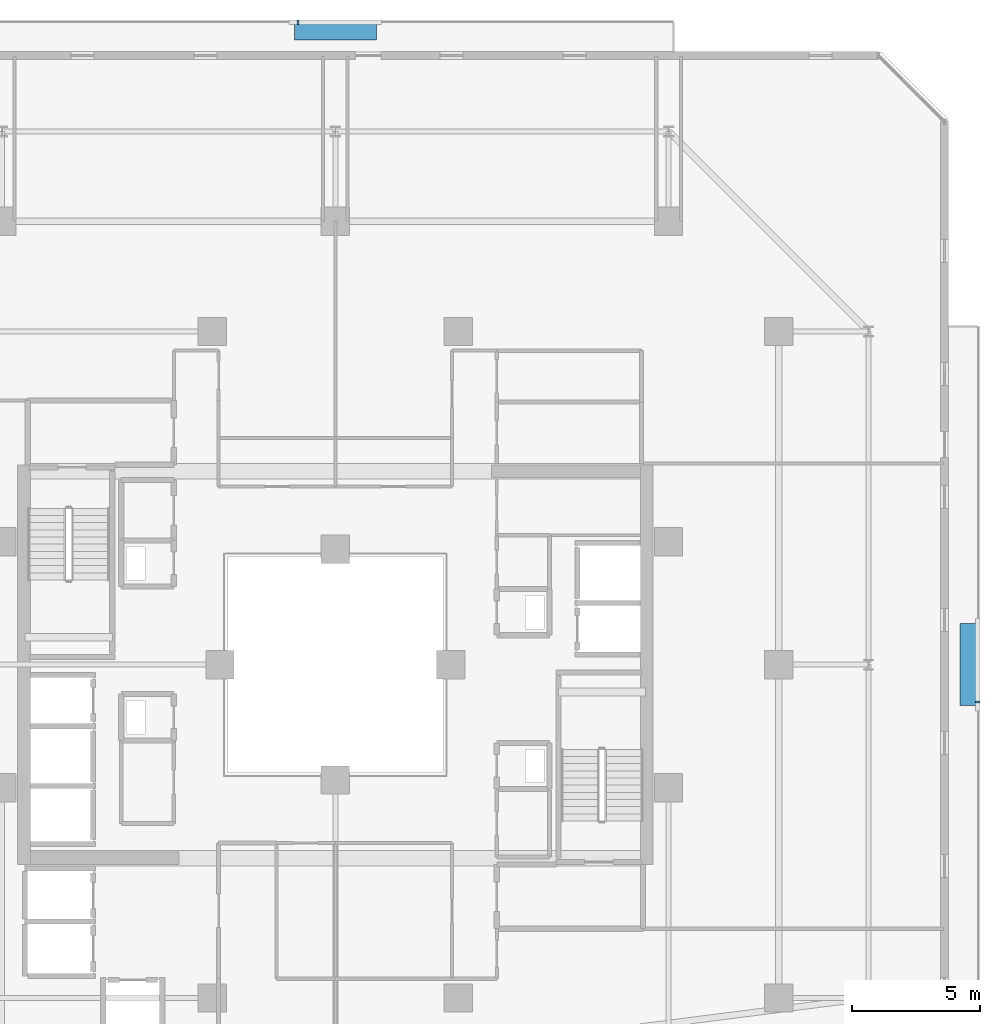
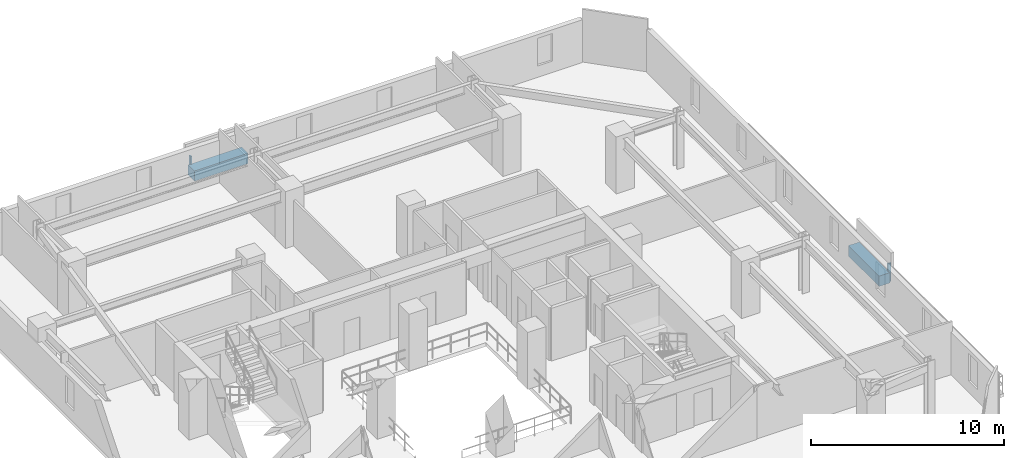
# One storey, part 29 of 33: 4 discrete accessories.
"""IFC4 building model written with IfcOpenShell, lengths in metres."""

import ifcopenshell
import ifcopenshell.guid

model = None  # the IFC model being written
_history = None  # IfcOwnerHistory: only IFC2X3 demands one
_inside = {}  # id of a spatial element -> (the spatial element, [elements in it])
_under = {}  # id of a project, library or spatial element -> (it, [spatial elements below it])
_declared = {}  # id of a project -> (the project, [libraries it declares])
_typed = {}  # id of a type object -> (the type object, [elements of that type])
_made_of = {}  # id of a material, layer set ... -> (it, [elements and type objects made of it])


def new_model(schema):
    """Start an empty IFC model of exactly this schema.

    Asked for "IFC4X3", IfcOpenShell would pick the latest addendum, in which some entities
    have other attributes; the version numbers below select the first issue.
    IFC2X3 requires an IfcOwnerHistory on every rooted entity: one is made here for all.
    """
    global model, _history
    if schema == "IFC4X3":
        model = ifcopenshell.file(schema_version=(4, 3, 0, 0))
    else:
        model = ifcopenshell.file(schema=schema)
    _inside.clear()
    _under.clear()
    _declared.clear()
    _typed.clear()
    _made_of.clear()
    _history = None
    if model.schema == "IFC2X3":
        org = make("IfcOrganization", Name="unknown")
        user = make(
            "IfcPersonAndOrganization",
            ThePerson=make("IfcPerson", FamilyName="unknown"),
            TheOrganization=org,
        )
        app = make(
            "IfcApplication",
            ApplicationDeveloper=org,
            Version="unknown",
            ApplicationFullName="unknown",
            ApplicationIdentifier="unknown",
        )
        _history = make(
            "IfcOwnerHistory",
            OwningUser=user,
            OwningApplication=app,
            ChangeAction="ADDED",
            CreationDate=0,
        )
    return model


def make(cls, **values):
    """One entity of the class cls with the attributes given. An attribute that is None is left unset."""
    return model.create_entity(
        cls, **{name: value for name, value in values.items() if value is not None}
    )


def rooted(cls, **values):
    """An entity with a GlobalId (a new one), such as an element, a storey or a relation."""
    return make(cls, GlobalId=ifcopenshell.guid.new(), OwnerHistory=_history, **values)


def si_unit(unit_type, name, prefix=None):
    """IfcSIUnit, for example si_unit("LENGTHUNIT", "METRE", prefix="MILLI")."""
    return make("IfcSIUnit", UnitType=unit_type, Prefix=prefix, Name=name)


def assignment(units):
    """IfcUnitAssignment: the units of a project."""
    return None if units is None else make("IfcUnitAssignment", Units=units)


def point(xyz):
    """IfcCartesianPoint."""
    return None if xyz is None else make("IfcCartesianPoint", Coordinates=xyz)


def direction(xyz):
    """IfcDirection."""
    return None if xyz is None else make("IfcDirection", DirectionRatios=xyz)


def frame(location, z_axis=None, x_axis=None):
    """IfcAxis2Placement3D, a coordinate frame: its origin and axes. An axis left out is left unset."""
    return make(
        "IfcAxis2Placement3D",
        Location=point(location),
        Axis=direction(z_axis),
        RefDirection=direction(x_axis),
    )


def frame_2d(location, x_axis=None):
    """IfcAxis2Placement2D, a coordinate frame in the plane: its origin and x axis."""
    return make(
        "IfcAxis2Placement2D", Location=point(location), RefDirection=direction(x_axis)
    )


def origin():
    """The frame at (0, 0, 0) with its axes left unset."""
    return frame((0.0, 0.0, 0.0))


def origin_2d():
    """The frame at (0, 0) in the plane with its x axis left unset."""
    return frame_2d((0.0, 0.0))


def place(relative_to, where):
    """IfcLocalPlacement: puts the frame where relative to a parent placement (None: the world)."""
    return make(
        "IfcLocalPlacement", PlacementRelTo=relative_to, RelativePlacement=where
    )


def context(
    kind, dimensions, precision=None, world=None, true_north=None, identifier=None
):
    """IfcGeometricRepresentationContext, for example the 3D "Model" context."""
    return make(
        "IfcGeometricRepresentationContext",
        ContextIdentifier=identifier,
        ContextType=kind,
        CoordinateSpaceDimension=dimensions,
        Precision=precision,
        WorldCoordinateSystem=world,
        TrueNorth=true_north,
    )


def subcontext(parent, identifier, kind, view, scale=None):
    """IfcGeometricRepresentationSubContext, for example "Body" below "Model"."""
    return make(
        "IfcGeometricRepresentationSubContext",
        ContextIdentifier=identifier,
        ContextType=kind,
        ParentContext=parent,
        TargetScale=scale,
        TargetView=view,
    )


def project(units=None, contexts=None):
    """IfcProject with its units and contexts."""
    return rooted(
        "IfcProject",
        Name="project",
        RepresentationContexts=contexts,
        UnitsInContext=assignment(units),
    )


def spatial(cls, under=None, at=None, **own):
    """A site, building, storey or space (cls), placed at a placement, below another one or the project."""
    s = rooted(cls, ObjectPlacement=at, **own)
    if under is not None:
        _under.setdefault(under.id(), (under, []))[1].append(s)
    return s


def profile(cls, at=None, kind="AREA", **sizes):
    """A parametric profile (cls). Its sizes go by their IFC names, for example OverallWidth=200.0."""
    return make(cls, ProfileType=kind, Position=at, **sizes)


def rectangle(**sizes):
    """IfcRectangleProfileDef."""
    return profile("IfcRectangleProfileDef", **sizes)


def extrude(swept, where, along, depth):
    """IfcExtrudedAreaSolid: the profile swept, set in the frame where, extruded along a direction by depth."""
    return make(
        "IfcExtrudedAreaSolid",
        SweptArea=swept,
        Position=where,
        ExtrudedDirection=direction(along),
        Depth=depth,
    )


def shape(context_of_items, identifier, shape_type, items):
    """IfcShapeRepresentation: the items that make up one representation, for example the "Body"."""
    return make(
        "IfcShapeRepresentation",
        ContextOfItems=context_of_items,
        RepresentationIdentifier=identifier,
        RepresentationType=shape_type,
        Items=items,
    )


def material(Name=None, Category=None):
    """IfcMaterial."""
    return make("IfcMaterial", Name=Name, Category=Category)


def made_of(thing, what):
    """Note that an element or type object is made of a material, layer set ...; save() writes the relation."""
    if what is not None:
        _made_of.setdefault(what.id(), (what, []))[1].append(thing)
    return thing


def type_object(cls, material=None, **own):
    """A type object (cls), such as IfcWallType, which elements share."""
    return made_of(rooted(cls, **own), material)


def element(
    cls,
    number,
    at=None,
    inside=None,
    cuts=None,
    type_object=None,
    material=None,
    context=None,
    identifier="Body",
    shape_type=None,
    held_by="IfcProductDefinitionShape",
    body=None,
    shapes=None,
    **own,
):
    """One element of the class cls, such as IfcWall. Its Tag is "e" and its number.

    at: its placement. inside: the storey or other place that contains it. cuts: it is an
    opening in that element (IfcRelVoidsElement). A single representation is given by context,
    identifier, shape_type and body (its items); several are given by shapes. held_by: the class
    of the entity that holds the representations. save() writes the other relations.
    """
    e = rooted(cls, Tag="e%d" % number, ObjectPlacement=at, **own)
    if body is not None:
        shapes = [shape(context, identifier, shape_type, body)]
    if shapes is not None:
        e.Representation = make(held_by, Representations=shapes)
    if inside is not None:
        _inside.setdefault(inside.id(), (inside, []))[1].append(e)
    if cuts is not None:
        rooted(
            "IfcRelVoidsElement", RelatingBuildingElement=cuts, RelatedOpeningElement=e
        )
    if type_object is not None:
        _typed.setdefault(type_object.id(), (type_object, []))[1].append(e)
    return made_of(e, material)


def aggregate(whole, parts):
    """IfcRelAggregates: a whole, such as a stair, and the parts it consists of."""
    return rooted("IfcRelAggregates", RelatingObject=whole, RelatedObjects=parts)


def save(model, path):
    """Write the relations noted so far, then the file.

    IfcRelAggregates (storeys below a building ...), IfcRelContainedInSpatialStructure (elements
    in a storey), IfcRelDefinesByType, IfcRelAssociatesMaterial and IfcRelDeclares: one each for
    every whole, place, type object, material and project.
    """
    for whole, parts in _under.values():
        aggregate(whole, parts)
    for where, things in _inside.values():
        rooted(
            "IfcRelContainedInSpatialStructure",
            RelatedElements=things,
            RelatingStructure=where,
        )
    for kind, things in _typed.values():
        rooted("IfcRelDefinesByType", RelatedObjects=things, RelatingType=kind)
    for what, things in _made_of.values():
        rooted("IfcRelAssociatesMaterial", RelatedObjects=things, RelatingMaterial=what)
    for by, libraries in _declared.values():
        rooted("IfcRelDeclares", RelatingContext=by, RelatedDefinitions=libraries)
    model.write(path)


model = new_model("IFC4")

# Units and contexts
model_context = context("Model", 3, precision=1e-05, world=origin(), true_north=direction((0.0, 1.0)))
body_context = subcontext(model_context, "Body", "Model", "MODEL_VIEW")
ifc_project = project(units=[si_unit("LENGTHUNIT", "METRE"), si_unit("AREAUNIT", "SQUARE_METRE"), si_unit("VOLUMEUNIT", "CUBIC_METRE"), si_unit("PLANEANGLEUNIT", "RADIAN"), si_unit("MASSUNIT", "GRAM", prefix="KILO")], contexts=[model_context])

# Site, building, storey
site_placement = place(None, origin())
site = spatial("IfcSite", under=ifc_project, at=site_placement, CompositionType="ELEMENT")
building_placement = place(site_placement, origin())
building = spatial("IfcBuilding", under=site, at=building_placement, Name="Thornwick Lancets Civic Towers", CompositionType="ELEMENT")
storey_placement = place(building_placement, frame((0.0, 0.0, 167.10009765625)))
storey = spatial("IfcBuildingStorey", under=building, at=storey_placement, Name="L44", CompositionType="ELEMENT", Elevation=167.10009765625)

# Discrete accessories
ifc_material_1 = material(Name="Planted terracotta greenery planter", Category="masonry")
discrete_accessory_type_1 = type_object("IfcDiscreteAccessoryType", Name="ACC_PLANTER_BOX", PredefinedType="USERDEFINED", material=ifc_material_1)
discrete_accessory_1_placement = place(storey_placement, frame((113.199951171875, 27.0, 0.0), z_axis=(0.0, 0.0, 1.0), x_axis=(1.0, 0.0, 0.0)))
element("IfcDiscreteAccessory", 1, at=discrete_accessory_1_placement, inside=storey, type_object=discrete_accessory_type_1, Name="L44 Tower B Balcony Greenery Planter E", ObjectType="PLANTER", PredefinedType="USERDEFINED", context=body_context, shape_type="SweptSolid", body=[
    extrude(rectangle(XDim=0.64990234375, YDim=3.199951171875, at=origin_2d()), origin(), (0.0, 0.0, 1.0), 0.64990234375),
])
discrete_accessory_2_placement = place(storey_placement, frame((88.5, 51.699951171875, 0.0), z_axis=(0.0, 0.0, 1.0), x_axis=(1.0, 0.0, 0.0)))
element("IfcDiscreteAccessory", 2, at=discrete_accessory_2_placement, inside=storey, type_object=discrete_accessory_type_1, Name="L44 Tower B Balcony Greenery Planter N", ObjectType="PLANTER", PredefinedType="USERDEFINED", context=body_context, shape_type="SweptSolid", body=[
    extrude(rectangle(XDim=3.199951171875, YDim=0.64990234375, at=origin_2d()), origin(), (0.0, 0.0, 1.0), 0.64990234375),
])
ifc_material_2 = material(Name="Stainless steel S355", Category="steel")
discrete_accessory_type_2 = type_object("IfcDiscreteAccessoryType", Name="ACC_SCREEN_BRACKET", PredefinedType="BRACKET", material=ifc_material_2)
for number, where, z_axis, x_axis, name in (
    (3, (113.56005859375, 25.550048828125, 0.0), (0.0, 0.0, 1.0), (0.0, 1.0, 0.0), "L44 Tower B Balcony Screen Stanchion Bracket E-1"),
    (4, (87.050048828125, 52.06005859375, 0.0), (0.0, 0.0, 1.0), (1.0, 0.0, 0.0), "L44 Tower B Balcony Screen Stanchion Bracket N-1"),
):
    element("IfcDiscreteAccessory", number, at=place(storey_placement, frame(where, z_axis=z_axis, x_axis=x_axis)), inside=storey, type_object=discrete_accessory_type_2, Name=name, PredefinedType="BRACKET", context=body_context, shape_type="SweptSolid", body=[
        extrude(rectangle(XDim=0.080078125, YDim=0.179931640625, at=origin_2d()), origin(), (0.0, 0.0, 1.0), 1.14990234375),
    ])

save(model, "model.ifc")
